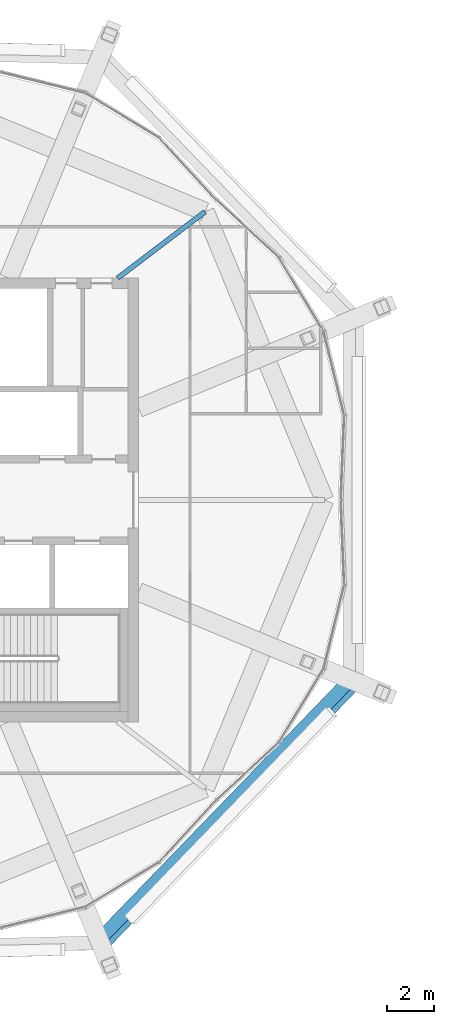
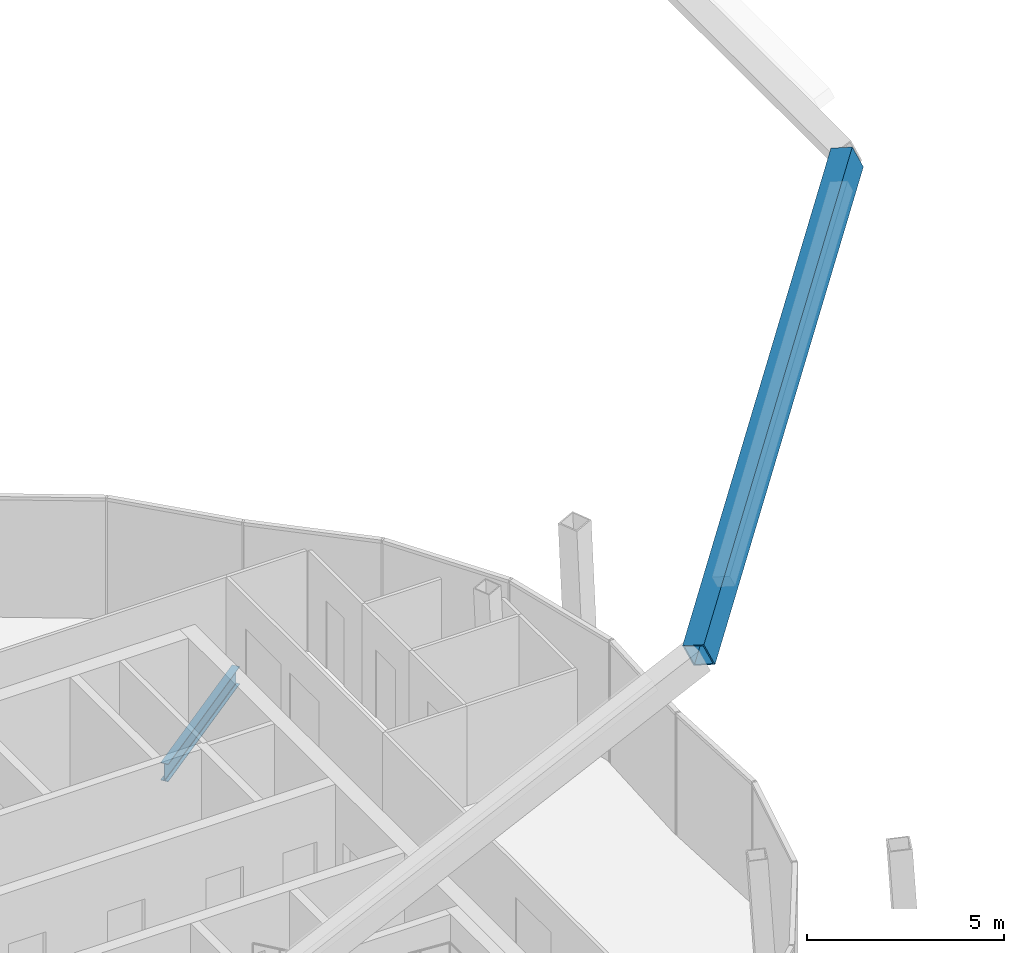
# One storey, part 6 of 34: 2 beams.
"""IFC4 building model written with IfcOpenShell, lengths in metres."""

from ifc_helpers import new_model, si_unit, direction, frame, origin, origin_2d, place, context, subcontext, project, spatial, hollow_rectangle, i_section, extrude, material, material_profile, profile_set, type_object, element, save


model = new_model("IFC4")

# Units and contexts
model_context = context("Model", 3, precision=1e-05, world=origin(), true_north=direction((0.0, 1.0)))
body_context = subcontext(model_context, "Body", "Model", "MODEL_VIEW")
ifc_project = project(units=[si_unit("LENGTHUNIT", "METRE"), si_unit("AREAUNIT", "SQUARE_METRE"), si_unit("VOLUMEUNIT", "CUBIC_METRE"), si_unit("PLANEANGLEUNIT", "RADIAN"), si_unit("MASSUNIT", "GRAM", prefix="KILO")], contexts=[model_context])

# Site, building, storey
site_placement = place(None, origin())
site = spatial("IfcSite", under=ifc_project, at=site_placement, CompositionType="ELEMENT")
building_placement = place(site_placement, origin())
building = spatial("IfcBuilding", under=site, at=building_placement, Name="Ogive Gate Towers", CompositionType="ELEMENT")
storey_placement = place(building_placement, frame((0.0, 0.0, 294.0)))
storey = spatial("IfcBuildingStorey", under=building, at=storey_placement, Name="L69", CompositionType="ELEMENT", Elevation=294.0)

# Beams
ifc_material_1 = material(Name="Steel SM460", Category="steel")
ifc_material_profile_1 = material_profile(ifc_material_1, hollow_rectangle(XDim=0.60009765625, YDim=0.800048828125, WallThickness=0.0400390625, at=origin_2d()), Name="BX 800x600x40")
ifc_profile_set_1 = profile_set([ifc_material_profile_1], Name="Steel SM460")
beam_type_1 = type_object("IfcBeamType", Name="Crown ring beam BX 800x600x40", PredefinedType="BEAM", material=ifc_profile_set_1)
beam_1_placement = place(storey_placement, frame((-28.1474609375, -18.957763671875, 20.57470703125), z_axis=(0.663304569552, 0.687001493835, 0.296742304838), x_axis=(0.627106049729, -0.726656003529, 0.280551340986)))
element("IfcBeam", 1, at=beam_1_placement, inside=storey, type_object=beam_type_1, Name="T1/L69/SBM007", PredefinedType="BEAM", context=body_context, shape_type="SweptSolid", body=[
    extrude(hollow_rectangle(XDim=0.60009765625, YDim=0.800048828125, WallThickness=0.0400390625, at=origin_2d()), origin(), (0.0, 0.0, 1.0), 16.32958984375),
])
ifc_material_2 = material(Name="Steel SM355", Category="steel")
ifc_material_profile_2 = material_profile(ifc_material_2, i_section(OverallWidth=0.2099609375, OverallDepth=0.550048828125, WebThickness=0.010986328125, FlangeThickness=0.01708984375, FilletRadius=0.02392578125, at=origin_2d()), Name="IPE 550")
ifc_profile_set_2 = profile_set([ifc_material_profile_2], Name="Steel SM355")
beam_type_2 = type_object("IfcBeamType", Name="Radial floor beam IPE 550", PredefinedType="BEAM", material=ifc_profile_set_2)
beam_2_placement = place(storey_placement, frame((-27.39990234375, 9.5, -0.574951171875), z_axis=(0.796338347087, 0.604851417257, 0.0), x_axis=(-0.604851417257, 0.796338347087, 0.0)))
element("IfcBeam", 2, at=beam_2_placement, inside=storey, type_object=beam_type_2, Name="T1/L69/SBM017", PredefinedType="BEAM", context=body_context, shape_type="SweptSolid", body=[
    extrude(i_section(OverallWidth=0.2099609375, OverallDepth=0.550048828125, WebThickness=0.010986328125, FlangeThickness=0.01708984375, FilletRadius=0.02392578125, at=origin_2d()), origin(), (0.0, 0.0, 1.0), 4.699462890625),
])

save(model, "model.ifc")
